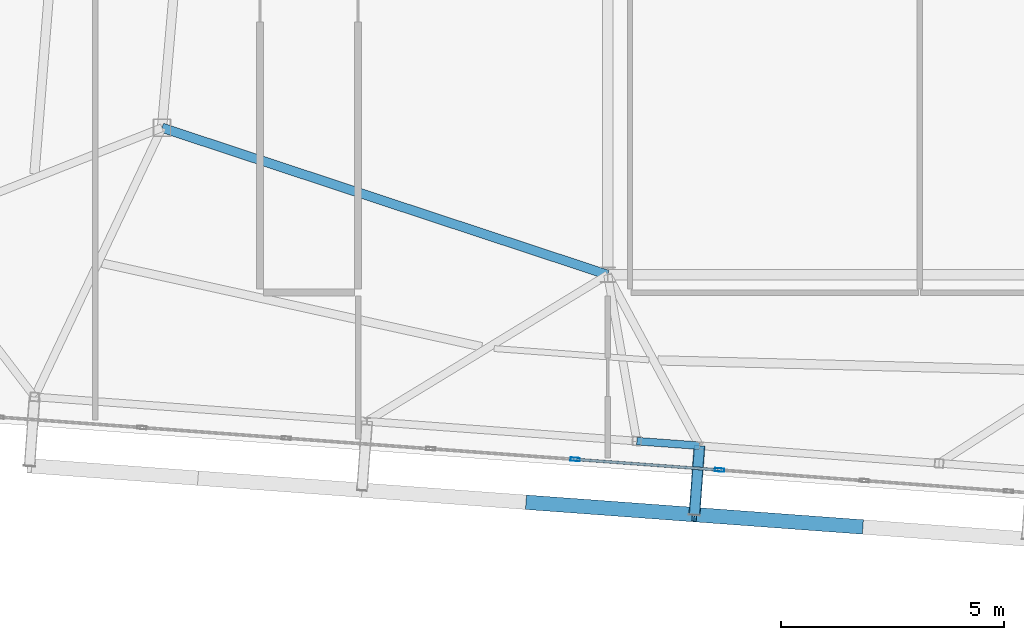
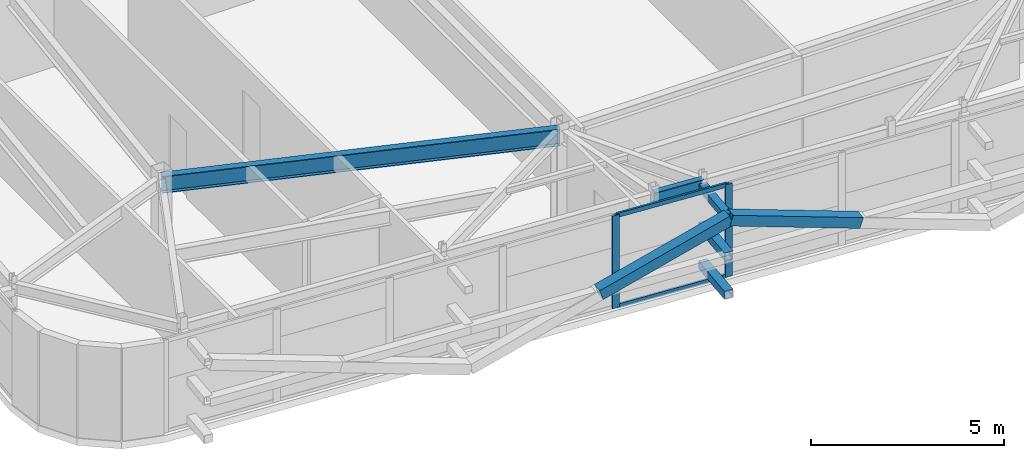
# One storey, part 12 of 42: 9 members, 2 beams, 1 element without a shape of its own.
"""IFC4 building model written with IfcOpenShell, lengths in metres."""

from ifc_helpers import new_model, si_unit, direction, frame, origin, origin_2d, place, context, subcontext, project, spatial, hollow_rectangle, i_section, extrude, source, transform, mapped, material, layer, layer_set, material_profile, profile_set, type_object, element, aggregate, save


model = new_model("IFC4")

# Units and contexts
model_context = context("Model", 3, precision=1e-05, world=origin(), true_north=direction((0.0, 1.0)))
body_context = subcontext(model_context, "Body", "Model", "MODEL_VIEW")
ifc_project = project(units=[si_unit("LENGTHUNIT", "METRE"), si_unit("AREAUNIT", "SQUARE_METRE"), si_unit("VOLUMEUNIT", "CUBIC_METRE"), si_unit("PLANEANGLEUNIT", "RADIAN"), si_unit("MASSUNIT", "GRAM", prefix="KILO")], contexts=[model_context])

# Site, building, storey
site_placement = place(None, origin())
site = spatial("IfcSite", under=ifc_project, at=site_placement, CompositionType="ELEMENT")
building_placement = place(site_placement, origin())
building = spatial("IfcBuilding", under=site, at=building_placement, Name="Taldren Reach Tower", CompositionType="ELEMENT")
storey_placement = place(building_placement, frame((0.0, 0.0, 214.550048828125)))
storey = spatial("IfcBuildingStorey", under=building, at=storey_placement, Name="L65", CompositionType="ELEMENT", Elevation=214.550048828125)

# Beam
ifc_material_1 = material(Name="Steel Gr 350 (350PLUS)", Category="steel")
ifc_material_profile_1 = material_profile(ifc_material_1, i_section(OverallWidth=0.208984375, OverallDepth=0.532958984375, WebThickness=0.01025390625, FlangeThickness=0.015625, at=origin_2d()), Name="530UB92.4")
ifc_profile_set_1 = profile_set([ifc_material_profile_1], Name="Steel Gr 350 (350PLUS)")
beam_type_1 = type_object("IfcBeamType", Name="BM-UB530A", PredefinedType="BEAM", material=ifc_profile_set_1)
shared_shape_1 = source(origin(), body_context, "Body", "SweptSolid", [
    extrude(i_section(OverallWidth=0.208984375, OverallDepth=0.532958984375, WebThickness=0.01025390625, FlangeThickness=0.015625, at=origin_2d()), origin(), (0.0, 0.0, 1.0), 10.530517578125),
])
beam_1_placement = place(storey_placement, frame((18.0, 12.5, 2.663330078125), z_axis=(0.949627269203, -0.313381635689, 0.0), x_axis=(0.313381635689, 0.949627269203, 0.0)))
element("IfcBeam", 1, at=beam_1_placement, inside=storey, type_object=beam_type_1, Name="Core-spine girder L65-SP10", PredefinedType="BEAM", context=body_context, shape_type="MappedRepresentation", body=[
    mapped(shared_shape_1, transform((0.0, 0.0, 0.0), scale=1.0)),
])

# Members
ifc_material_2 = material(Name="Steel Gr 350 (C350L0)", Category="steel")
ifc_material_profile_2 = material_profile(ifc_material_2, hollow_rectangle(XDim=0.25, YDim=0.25, WallThickness=0.010009765625, at=origin_2d()), Name="250x250x10.0SHS")
ifc_profile_set_2 = profile_set([ifc_material_profile_2], Name="Steel Gr 350 (C350L0)")
member_type_1 = type_object("IfcMemberType", Name="MB-POST250", PredefinedType="POST", material=ifc_profile_set_2)
shared_shape_2 = source(origin(), body_context, "Body", "SweptSolid", [
    extrude(hollow_rectangle(XDim=0.25, YDim=0.25, WallThickness=0.010009765625, at=origin_2d()), origin(), (0.0, 0.0, 1.0), 1.5498046875),
])
for number, where, z_axis, x_axis, name in (
    (2, (30.060546875, 5.364501953125, 0.219970703125), (-0.073250797913, -0.997313551801, 0.0), (0.997313551801, -0.073250797913, 0.0), "Exoskeleton base diaphragm tie strut B5-S3 L65"),
    (3, (30.060546875, 5.364501953125, 1.43505859375), (-0.073250797913, -0.997313551801, 0.0), (0.997313551801, -0.073250797913, 0.0), "Exoskeleton mid-tier diaphragm tie B5-S3 L65"),
):
    element("IfcMember", number, at=place(storey_placement, frame(where, z_axis=z_axis, x_axis=x_axis)), inside=storey, type_object=member_type_1, Name=name, PredefinedType="POST", context=body_context, shape_type="MappedRepresentation", body=[
        mapped(shared_shape_2, transform((0.0, 0.0, 0.0), scale=1.0)),
    ])
ifc_material_3 = material(Name="Steel Gr 450 (C450L0)", Category="steel")
ifc_material_profile_3 = material_profile(ifc_material_3, hollow_rectangle(XDim=0.219970703125, YDim=0.219970703125, WallThickness=0.00830078125, at=origin_2d()), Name="220x220x8.2SHS")
ifc_profile_set_3 = profile_set([ifc_material_profile_3], Name="Steel Gr 450 (C450L0)")
member_type_2 = type_object("IfcMemberType", Name="MB-TIE219", PredefinedType="STRUT", material=ifc_profile_set_3)
shared_shape_3 = source(origin(), body_context, "Body", "SweptSolid", [
    extrude(hollow_rectangle(XDim=0.219970703125, YDim=0.219970703125, WallThickness=0.00830078125, at=origin_2d()), origin(), (0.0, 0.0, 1.0), 1.5498046875),
])
member_1_placement = place(storey_placement, frame((30.060546875, 5.364501953125, 2.64990234375), z_axis=(-0.073250797913, -0.997313551801, 0.0), x_axis=(0.997313551801, -0.073250797913, 0.0)))
element("IfcMember", 4, at=member_1_placement, inside=storey, type_object=member_type_2, Name="Exoskeleton diaphragm tie strut B5-S3 L65", PredefinedType="STRUT", context=body_context, shape_type="MappedRepresentation", body=[
    mapped(shared_shape_3, transform((0.0, 0.0, 0.0), scale=1.0)),
])

# Beam
ifc_material_profile_4 = material_profile(ifc_material_1, i_section(OverallWidth=0.172119140625, OverallDepth=0.35888671875, WebThickness=0.008056640625, FlangeThickness=0.012939453125, at=origin_2d()), Name="360UB56.7")
ifc_profile_set_4 = profile_set([ifc_material_profile_4], Name="Steel Gr 350 (350PLUS)")
beam_type_2 = type_object("IfcBeamType", Name="SP-UB360", PredefinedType="SPANDREL", material=ifc_profile_set_4)
shared_shape_4 = source(origin(), body_context, "Body", "SweptSolid", [
    extrude(i_section(OverallWidth=0.172119140625, OverallDepth=0.35888671875, WebThickness=0.008056640625, FlangeThickness=0.012939453125, at=origin_2d()), origin(), (0.0, 0.0, 1.0), 1.41015625),
])
beam_2_placement = place(storey_placement, frame((28.654296875, 5.4677734375, 2.75048828125), z_axis=(0.997314324946, -0.073240270738, 0.0), x_axis=(0.073240270738, 0.997314324946, 0.0)))
element("IfcBeam", 5, at=beam_2_placement, inside=storey, type_object=beam_type_2, Name="Perimeter spandrel B5 PJ1-S3 L65", PredefinedType="SPANDREL", context=body_context, shape_type="MappedRepresentation", body=[
    mapped(shared_shape_4, transform((0.0, 0.0, 0.0), scale=1.0)),
])

# Members
ifc_material_profile_5 = material_profile(ifc_material_3, hollow_rectangle(XDim=0.324951171875, YDim=0.324951171875, WallThickness=0.0126953125, at=origin_2d()), Name="325x325x12.7SHS")
ifc_profile_set_5 = profile_set([ifc_material_profile_5], Name="Steel Gr 450 (C450L0)")
member_type_3 = type_object("IfcMemberType", Name="MB-BR324", PredefinedType="BRACE", material=ifc_profile_set_5)
shared_shape_5 = source(origin(), body_context, "Body", "SweptSolid", [
    extrude(hollow_rectangle(XDim=0.324951171875, YDim=0.324951171875, WallThickness=0.0126953125, at=origin_2d()), origin(), (0.0, 0.0, 1.0), 3.932373046875),
])
for number, where, z_axis, x_axis, name in (
    (6, (26.217041015625, 4.0927734375, 1.43505859375), (0.948529326954, -0.06965898055, 0.308933232813), (0.07324169103, 0.997314220642, 0.0), "Exoskeleton Diagrid Brace B5-S2 L65"),
    (7, (33.677001953125, 3.544921875, 1.43505859375), (-0.948529326954, 0.06965898055, 0.308933232813), (-0.07324169103, -0.997314220642, 0.0), "Exoskeleton Diagrid Brace B5-S3 L65"),
):
    element("IfcMember", number, at=place(storey_placement, frame(where, z_axis=z_axis, x_axis=x_axis)), inside=storey, type_object=member_type_3, Name=name, PredefinedType="BRACE", context=body_context, shape_type="MappedRepresentation", body=[
        mapped(shared_shape_5, transform((0.0, 0.0, 0.0), scale=1.0)),
    ])

# Curtain wall, members
ifc_material_4 = material(Name="Aluminium and Low-E Glass Unitised System", Category="aluminium")
ifc_layer = layer(ifc_material_4, 0.159912109375)
ifc_layer_set = layer_set([ifc_layer], Name="Aluminium and Low-E Glass Unitised System")
curtain_wall_type = type_object("IfcCurtainWallType", Name="CW-SYS-6", PredefinedType="NOTDEFINED", material=ifc_layer_set)
curtain_wall_placement = place(storey_placement, origin())
curtain_wall = element("IfcCurtainWall", 8, at=curtain_wall_placement, inside=storey, type_object=curtain_wall_type, Name="Unitised curtain wall CW-L65-S", PredefinedType="NOTDEFINED")
ifc_material_5 = material(Name="Anodised Aluminium 6063-T6", Category="aluminium")
ifc_material_profile_6 = material_profile(ifc_material_5, hollow_rectangle(XDim=0.074951171875, YDim=0.2099609375, WallThickness=0.00439453125, at=origin_2d()), Name="ALU-210x75x4.5RHS")
ifc_profile_set_6 = profile_set([ifc_material_profile_6], Name="Anodised Aluminium 6063-T6")
member_type_4 = type_object("IfcMemberType", Name="CW-MUL-200", PredefinedType="MULLION", material=ifc_profile_set_6)
shared_shape_6 = source(origin(), body_context, "Body", "SweptSolid", [
    extrude(hollow_rectangle(XDim=0.074951171875, YDim=0.2099609375, WallThickness=0.00439453125, at=origin_2d()), origin(), (0.0, 0.0, 1.0), 2.929931640625),
])
member_2_placement = place(storey_placement, frame((27.2705078125, 5.05810546875, 0.0), z_axis=(0.0, 0.0, 1.0), x_axis=(0.073238213716, 0.997314476006, 0.0)))
member_2 = element("IfcMember", 9, at=member_2_placement, type_object=member_type_4, Name="CW-6 mullion 5", PredefinedType="MULLION", context=body_context, shape_type="MappedRepresentation", body=[
    mapped(shared_shape_6, transform((0.0, 0.0, 0.0), scale=1.0)),
])
member_3_placement = place(storey_placement, frame((30.51171875, 4.820068359375, 0.0), z_axis=(0.0, 0.0, 1.0), x_axis=(0.073238213716, 0.997314476006, 0.0)))
member_3 = element("IfcMember", 10, at=member_3_placement, type_object=member_type_4, Name="CW-6 mullion 6", PredefinedType="MULLION", context=body_context, shape_type="MappedRepresentation", body=[
    mapped(shared_shape_6, transform((0.0, 0.0, 0.0), scale=1.0)),
])
ifc_material_profile_7 = material_profile(ifc_material_5, hollow_rectangle(XDim=0.06005859375, YDim=0.135009765625, WallThickness=0.00341796875, at=origin_2d()), Name="ALU-135x60x3.5RHS")
ifc_profile_set_7 = profile_set([ifc_material_profile_7], Name="Anodised Aluminium 6063-T6")
member_type_5 = type_object("IfcMemberType", Name="CW-TRN-150", PredefinedType="USERDEFINED", material=ifc_profile_set_7)
shared_shape_7 = source(origin(), body_context, "Body", "SweptSolid", [
    extrude(hollow_rectangle(XDim=0.06005859375, YDim=0.135009765625, WallThickness=0.00341796875, at=origin_2d()), origin(), (0.0, 0.0, 1.0), 3.175048828125),
])
member_4_placement = place(storey_placement, frame((27.307861328125, 5.055419921875, 0.030029296875), z_axis=(0.997311428111, -0.073279706322, 0.0), x_axis=(0.073279706322, 0.997311428111, 0.0)))
member_4 = element("IfcMember", 11, at=member_4_placement, type_object=member_type_5, Name="CW-6 transom 5.1", ObjectType="TRANSOM", PredefinedType="USERDEFINED", context=body_context, shape_type="MappedRepresentation", body=[
    mapped(shared_shape_7, transform((0.0, 0.0, 0.0), scale=1.0)),
])
member_5_placement = place(storey_placement, frame((27.307861328125, 5.055419921875, 2.89990234375), z_axis=(0.997311428111, -0.073279706322, 0.0), x_axis=(0.073279706322, 0.997311428111, 0.0)))
member_5 = element("IfcMember", 12, at=member_5_placement, type_object=member_type_5, Name="CW-6 transom 5.2", ObjectType="TRANSOM", PredefinedType="USERDEFINED", context=body_context, shape_type="MappedRepresentation", body=[
    mapped(shared_shape_7, transform((0.0, 0.0, 0.0), scale=1.0)),
])
aggregate(curtain_wall, [member_2, member_3, member_4, member_5])

save(model, "model.ifc")
